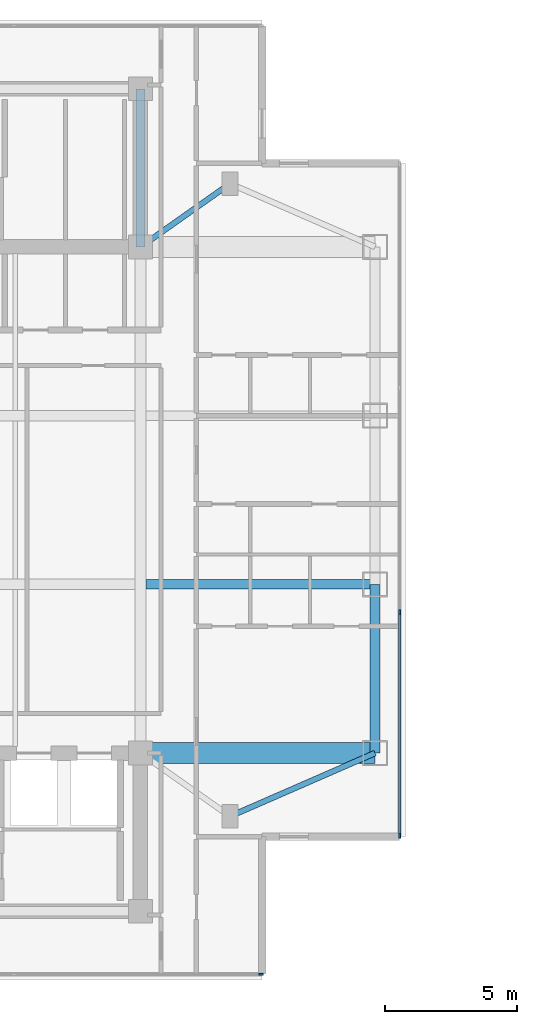
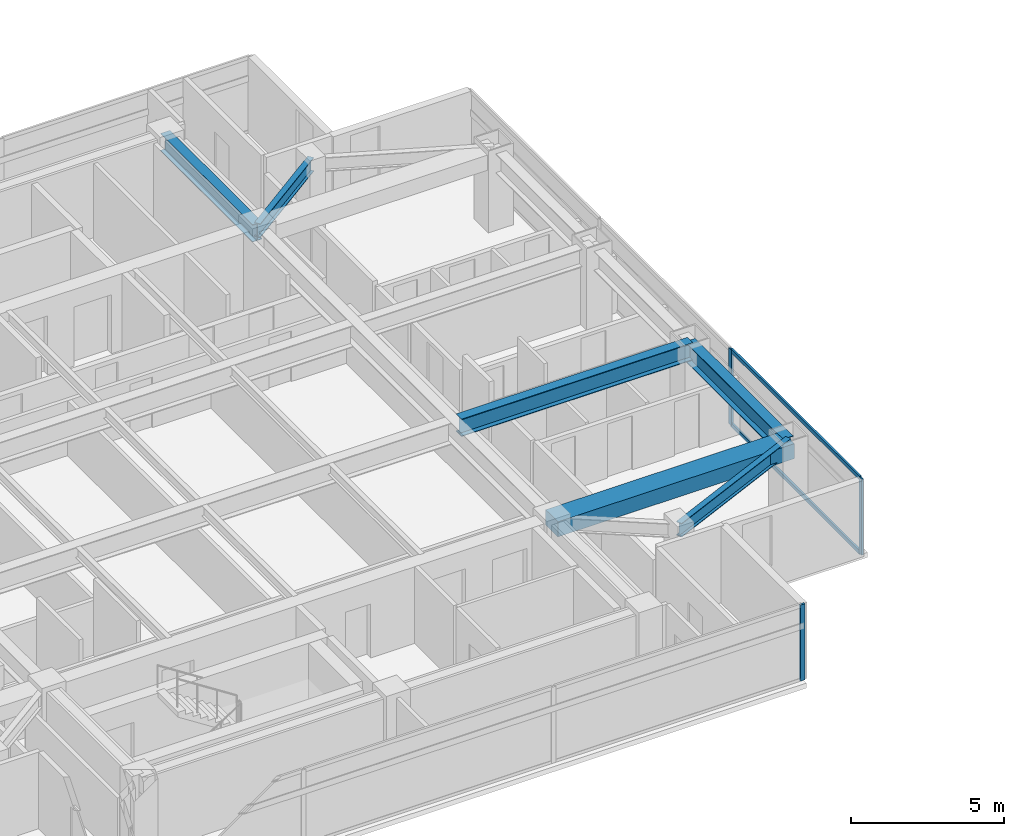
# One storey, part 4 of 23: 6 beams, 5 members, 2 elements without a shape of their own.
"""IFC4 building model written with IfcOpenShell, lengths in metres."""

from ifc_helpers import new_model, si_unit, direction, frame, origin, origin_2d, place, context, subcontext, project, spatial, rectangle, i_section, extrude, material, material_profile, profile_set, type_object, element, aggregate, save


model = new_model("IFC4")

# Units and contexts
model_context = context("Model", 3, precision=1e-05, world=origin(), true_north=direction((0.0, 1.0)))
body_context = subcontext(model_context, "Body", "Model", "MODEL_VIEW")
ifc_project = project(units=[si_unit("LENGTHUNIT", "METRE"), si_unit("AREAUNIT", "SQUARE_METRE"), si_unit("VOLUMEUNIT", "CUBIC_METRE"), si_unit("PLANEANGLEUNIT", "RADIAN"), si_unit("MASSUNIT", "GRAM", prefix="KILO")], contexts=[model_context])

# Site, building, storey
site_placement = place(None, origin())
site = spatial("IfcSite", under=ifc_project, at=site_placement, CompositionType="ELEMENT")
building_placement = place(site_placement, origin())
building = spatial("IfcBuilding", under=site, at=building_placement, Name="Mirazonda Arch Towers", CompositionType="ELEMENT")
storey_placement = place(building_placement, frame((0.0, 0.0, 183.64990234375)))
storey = spatial("IfcBuildingStorey", under=building, at=storey_placement, Name="L52", CompositionType="ELEMENT", Elevation=183.64990234375)

# Beams
ifc_material_1 = material(Name="Steel ASTM A992 Grade 50", Category="steel")
ifc_material_profile_1 = material_profile(ifc_material_1, i_section(OverallWidth=0.381103515625, OverallDepth=0.77294921875, WebThickness=0.0166015625, FlangeThickness=0.027099609375, at=origin_2d()), Name="W30X173")
ifc_profile_set_1 = profile_set([ifc_material_profile_1], Name="Steel ASTM A992 Grade 50")
beam_type_1 = type_object("IfcBeamType", Name="BM-EXT-W30X173", PredefinedType="USERDEFINED", material=ifc_profile_set_1)
beam_1_placement = place(storey_placement, frame((38.89990234375, 18.39990234375, 2.66357421875), z_axis=(0.0, 1.0, 0.0), x_axis=(-1.0, 0.0, 0.0)))
element("IfcBeam", 1, at=beam_1_placement, inside=storey, type_object=beam_type_1, Name="L52 Floor Beam BM-T1-L52-NS-E-18", ObjectType="GIRDER", PredefinedType="USERDEFINED", context=body_context, shape_type="SweptSolid", body=[
    extrude(i_section(OverallWidth=0.381103515625, OverallDepth=0.77294921875, WebThickness=0.0166015625, FlangeThickness=0.027099609375, at=origin_2d()), origin(), (0.0, 0.0, 1.0), 6.400146484375),
])
ifc_material_profile_2 = material_profile(ifc_material_1, i_section(OverallWidth=0.214111328125, OverallDepth=0.549072265625, WebThickness=0.0146484375, FlangeThickness=0.023681640625, at=origin_2d()), Name="W21X93")
ifc_profile_set_2 = profile_set([ifc_material_profile_2], Name="Steel ASTM A992 Grade 50")
beam_type_2 = type_object("IfcBeamType", Name="BM-INT-W21X93", PredefinedType="BEAM", material=ifc_profile_set_2)
beam_2_placement = place(storey_placement, frame((33.39990234375, 16.0, 2.775634765625), z_axis=(0.916545343703, 0.399930785183, 0.0), x_axis=(-0.399930785183, 0.916545343703, 0.0)))
element("IfcBeam", 2, at=beam_2_placement, inside=storey, type_object=beam_type_2, Name="L52 Floor Beam BM-T1-L52-PL-SE2", PredefinedType="BEAM", context=body_context, shape_type="SweptSolid", body=[
    extrude(i_section(OverallWidth=0.214111328125, OverallDepth=0.549072265625, WebThickness=0.0146484375, FlangeThickness=0.023681640625, at=origin_2d()), origin(), (0.0, 0.0, 1.0), 6.000732421875),
])
beam_3_placement = place(storey_placement, frame((33.39990234375, 40.0, 2.775634765625), z_axis=(-0.816971114901, -0.576678591087, 0.0), x_axis=(0.576678591087, -0.816971114901, 0.0)))
element("IfcBeam", 3, at=beam_3_placement, inside=storey, type_object=beam_type_2, Name="L52 Floor Beam BM-T1-L52-PL-NE1", PredefinedType="BEAM", context=body_context, shape_type="SweptSolid", body=[
    extrude(i_section(OverallWidth=0.214111328125, OverallDepth=0.549072265625, WebThickness=0.0146484375, FlangeThickness=0.023681640625, at=origin_2d()), origin(), (0.0, 0.0, 1.0), 4.16162109375),
])
ifc_material_profile_3 = material_profile(ifc_material_1, i_section(OverallWidth=0.35498046875, OverallDepth=0.696044921875, WebThickness=0.015380859375, FlangeThickness=0.02490234375, at=origin_2d()), Name="W27X146")
ifc_profile_set_3 = profile_set([ifc_material_profile_3], Name="Steel ASTM A992 Grade 50")
beam_type_3 = type_object("IfcBeamType", Name="BM-INT-W27X146", PredefinedType="BEAM", material=ifc_profile_set_3)
beam_4_placement = place(storey_placement, frame((30.199951171875, 24.800048828125, 2.7021484375), z_axis=(1.0, 0.0, 0.0), x_axis=(0.0, 1.0, 0.0)))
element("IfcBeam", 4, at=beam_4_placement, inside=storey, type_object=beam_type_3, Name="L52 Floor Beam BM-T1-L52-GE2", PredefinedType="BEAM", context=body_context, shape_type="SweptSolid", body=[
    extrude(i_section(OverallWidth=0.35498046875, OverallDepth=0.696044921875, WebThickness=0.015380859375, FlangeThickness=0.02490234375, at=origin_2d()), origin(), (0.0, 0.0, 1.0), 8.699951171875),
])
beam_5_placement = place(storey_placement, frame((30.0, 37.60009765625, 2.7021484375), z_axis=(0.0, 1.0, 0.0), x_axis=(-1.0, 0.0, 0.0)))
element("IfcBeam", 5, at=beam_5_placement, inside=storey, type_object=beam_type_3, Name="L52 Floor Beam BM-T1-L52-CNE", PredefinedType="BEAM", context=body_context, shape_type="SweptSolid", body=[
    extrude(i_section(OverallWidth=0.35498046875, OverallDepth=0.696044921875, WebThickness=0.015380859375, FlangeThickness=0.02490234375, at=origin_2d()), origin(), (0.0, 0.0, 1.0), 6.0),
])
ifc_material_2 = material(Name="Concrete C60/75", Category="concrete")
ifc_material_profile_4 = material_profile(ifc_material_2, rectangle(XDim=0.800048828125, YDim=0.60009765625, at=origin_2d()), Name="RCCB800x600")
ifc_profile_set_4 = profile_set([ifc_material_profile_4], Name="Concrete C60/75")
beam_type_4 = type_object("IfcBeamType", Name="CB-INT-RCCB800x600", PredefinedType="SPANDREL", material=ifc_profile_set_4)
beam_6_placement = place(storey_placement, frame((30.0, 18.39990234375, 2.75), z_axis=(1.0, 0.0, 0.0), x_axis=(0.0, 1.0, 0.0)))
element("IfcBeam", 6, at=beam_6_placement, inside=storey, type_object=beam_type_4, Name="L52 Floor Beam CBC-T1-L52-SE", PredefinedType="SPANDREL", context=body_context, shape_type="SweptSolid", body=[
    extrude(rectangle(XDim=0.800048828125, YDim=0.60009765625, at=origin_2d()), origin(), (0.0, 0.0, 1.0), 8.89990234375),
])

# Curtain wall, member
ifc_material_3 = material(Name="Anodised Aluminium and Low-E Glass", Category="aluminium")
curtain_wall_type = type_object("IfcCurtainWallType", Name="CW-RES-UNIT", PredefinedType="NOTDEFINED", material=ifc_material_3)
curtain_wall_1_placement = place(storey_placement, origin())
curtain_wall_1 = element("IfcCurtainWall", 7, at=curtain_wall_1_placement, inside=storey, type_object=curtain_wall_type, Name="L52 T1 S Facade CW-L52-T1-S", PredefinedType="NOTDEFINED")
ifc_material_4 = material(Name="Anodised Aluminium Alloy", Category="aluminium")
ifc_material_profile_5 = material_profile(ifc_material_4, rectangle(XDim=0.074951171875, YDim=0.175048828125, at=origin_2d()), Name="ALU-MULL-75x175")
ifc_profile_set_5 = profile_set([ifc_material_profile_5], Name="Anodised Aluminium Alloy")
member_type_1 = type_object("IfcMemberType", Name="MULL-CW-RES-UNIT", PredefinedType="MULLION", material=ifc_profile_set_5)
member_1_placement = place(storey_placement, frame((34.577392578125, 10.010009765625, 0.0), z_axis=(0.0, 0.0, 1.0), x_axis=(0.0, -1.0, 0.0)))
member_1 = element("IfcMember", 8, at=member_1_placement, type_object=member_type_1, Name="CW-104 mullion 1", PredefinedType="MULLION", context=body_context, shape_type="SweptSolid", body=[
    extrude(rectangle(XDim=0.074951171875, YDim=0.175048828125, at=origin_2d()), origin(), (0.0, 0.0, 1.0), 3.030029296875),
])
aggregate(curtain_wall_1, [member_1])

# Curtain wall, members
curtain_wall_2_placement = place(storey_placement, origin())
curtain_wall_2 = element("IfcCurtainWall", 9, at=curtain_wall_2_placement, inside=storey, type_object=curtain_wall_type, Name="L52 T1 E Facade CW-L52-T1-E", PredefinedType="NOTDEFINED")
member_2_placement = place(storey_placement, frame((39.830078125, 15.262451171875, 0.0), z_axis=(0.0, 0.0, 1.0), x_axis=(-1.0, 0.0, 0.0)))
member_2 = element("IfcMember", 10, at=member_2_placement, type_object=member_type_1, Name="CW-104 mullion 1", PredefinedType="MULLION", context=body_context, shape_type="SweptSolid", body=[
    extrude(rectangle(XDim=0.074951171875, YDim=0.175048828125, at=origin_2d()), origin(), (0.0, 0.0, 1.0), 3.030029296875),
])
member_3_placement = place(storey_placement, frame((39.830078125, 23.74169921875, 0.0), z_axis=(0.0, 0.0, 1.0), x_axis=(-1.0, 0.0, 0.0)))
member_3 = element("IfcMember", 11, at=member_3_placement, type_object=member_type_1, Name="CW-104 mullion 2", PredefinedType="MULLION", context=body_context, shape_type="SweptSolid", body=[
    extrude(rectangle(XDim=0.074951171875, YDim=0.175048828125, at=origin_2d()), origin(), (0.0, 0.0, 1.0), 3.030029296875),
])
ifc_material_profile_6 = material_profile(ifc_material_4, rectangle(XDim=0.074951171875, YDim=0.155029296875, at=origin_2d()), Name="ALU-TRAN-75x155")
ifc_profile_set_6 = profile_set([ifc_material_profile_6], Name="Anodised Aluminium Alloy")
member_type_2 = type_object("IfcMemberType", Name="TRAN-CW-RES-UNIT", PredefinedType="USERDEFINED", material=ifc_profile_set_6)
member_4_placement = place(storey_placement, frame((39.830078125, 15.300048828125, 0.03759765625), z_axis=(0.0, 1.0, 0.0), x_axis=(-1.0, 0.0, 0.0)))
member_4 = element("IfcMember", 12, at=member_4_placement, type_object=member_type_2, Name="CW-104 transom 1.1", ObjectType="TRANSOM", PredefinedType="USERDEFINED", context=body_context, shape_type="SweptSolid", body=[
    extrude(rectangle(XDim=0.074951171875, YDim=0.155029296875, at=origin_2d()), origin(), (0.0, 0.0, 1.0), 8.404052734375),
])
member_5_placement = place(storey_placement, frame((39.830078125, 15.300048828125, 2.99267578125), z_axis=(0.0, 1.0, 0.0), x_axis=(-1.0, 0.0, 0.0)))
member_5 = element("IfcMember", 13, at=member_5_placement, type_object=member_type_2, Name="CW-104 transom 1.2", ObjectType="TRANSOM", PredefinedType="USERDEFINED", context=body_context, shape_type="SweptSolid", body=[
    extrude(rectangle(XDim=0.074951171875, YDim=0.155029296875, at=origin_2d()), origin(), (0.0, 0.0, 1.0), 8.404052734375),
])
aggregate(curtain_wall_2, [member_2, member_3, member_4, member_5])

save(model, "model.ifc")
